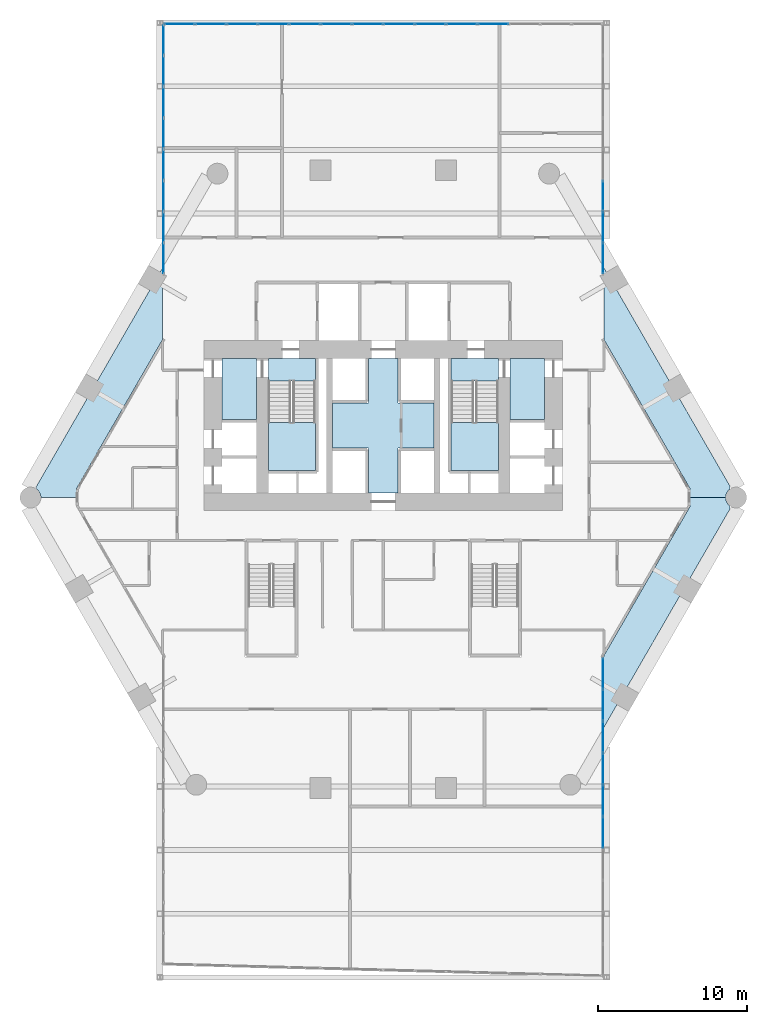
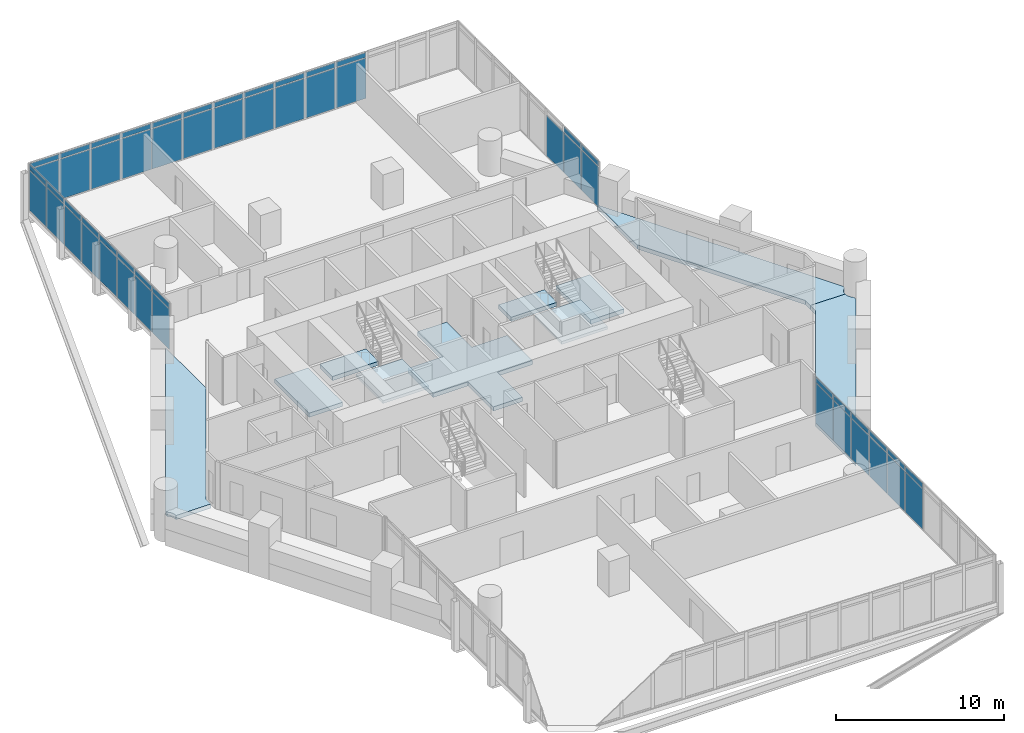
# One storey, part 28 of 38: 55 plates, 10 slabs, 6 elements without a shape of their own.
"""IFC4 building model written with IfcOpenShell, lengths in metres."""

from ifc_helpers import new_model, si_unit, direction, frame, origin, origin_2d, place, context, subcontext, project, spatial, polyline, rectangle, outline, extrude, material, layer, layer_set, type_object, element, aggregate, save


model = new_model("IFC4")

# Units and contexts
model_context = context("Model", 3, precision=1e-05, world=origin(), true_north=direction((0.0, 1.0)))
body_context = subcontext(model_context, "Body", "Model", "MODEL_VIEW")
ifc_project = project(units=[si_unit("LENGTHUNIT", "METRE"), si_unit("AREAUNIT", "SQUARE_METRE"), si_unit("VOLUMEUNIT", "CUBIC_METRE"), si_unit("PLANEANGLEUNIT", "RADIAN"), si_unit("MASSUNIT", "GRAM", prefix="KILO")], contexts=[model_context])

# Site, building, storey
site_placement = place(None, origin())
site = spatial("IfcSite", under=ifc_project, at=site_placement, CompositionType="ELEMENT")
building_placement = place(site_placement, origin())
building = spatial("IfcBuilding", under=site, at=building_placement, Name="Ostrander Bayou Hotel Tower", CompositionType="ELEMENT")
storey_placement = place(building_placement, frame((0.0, 0.0, 65.5)))
storey = spatial("IfcBuildingStorey", under=building, at=storey_placement, Name="L16", CompositionType="ELEMENT", Elevation=65.5)

# Curtain wall, plates
ifc_material_1 = material(Name="Aluminium and clear glass", Category="aluminium")
curtain_wall_type = type_object("IfcCurtainWallType", Name="CW-BAR glazed wall", PredefinedType="NOTDEFINED", material=ifc_material_1)
curtain_wall_1_placement = place(storey_placement, origin())
curtain_wall_1 = element("IfcCurtainWall", 1, at=curtain_wall_1_placement, inside=storey, type_object=curtain_wall_type, Name="CW-BAR L16:SB1S:W", PredefinedType="NOTDEFINED")
ifc_material_2 = material(Name="Clear laminated glass", Category="glass")
ifc_layer_1 = layer(ifc_material_2, 0.028076171875)
ifc_layer_set_1 = layer_set([ifc_layer_1], Name="CW-BR glazing panel 28 mm")
plate_type = type_object("IfcPlateType", Name="CW-BR glazing panel 28 mm", PredefinedType="CURTAIN_PANEL", material=ifc_layer_set_1)
plate_1_placement = place(storey_placement, frame((14.712158203125, -12.59912109375, 0.06005859375), z_axis=(0.0, 0.0, 1.0), x_axis=(0.0, -1.0, 0.0)))
plate_1 = element("IfcPlate", 2, at=plate_1_placement, type_object=plate_type, Name="CW-BAR panel 1.1", PredefinedType="CURTAIN_PANEL", context=body_context, shape_type="SweptSolid", body=[
    extrude(rectangle(XDim=2.04296875, YDim=0.028076171875, at=origin_2d()), origin(), (0.0, 0.0, 1.0), 2.909912109375),
])
plate_2_placement = place(storey_placement, frame((14.712158203125, -12.59912109375, 3.02978515625), z_axis=(0.0, 0.0, 1.0), x_axis=(0.0, -1.0, 0.0)))
plate_2 = element("IfcPlate", 3, at=plate_2_placement, type_object=plate_type, Name="CW-BAR panel 1.2", PredefinedType="CURTAIN_PANEL", context=body_context, shape_type="SweptSolid", body=[
    extrude(rectangle(XDim=2.04296875, YDim=0.028076171875, at=origin_2d()), origin(), (0.0, 0.0, 1.0), 0.360107421875),
])
plate_3_placement = place(storey_placement, frame((14.712158203125, -14.71728515625, 0.06005859375), z_axis=(0.0, 0.0, 1.0), x_axis=(0.0, -1.0, 0.0)))
plate_3 = element("IfcPlate", 4, at=plate_3_placement, type_object=plate_type, Name="CW-BAR panel 2.1", PredefinedType="CURTAIN_PANEL", context=body_context, shape_type="SweptSolid", body=[
    extrude(rectangle(XDim=2.072998046875, YDim=0.028076171875, at=origin_2d()), origin(), (0.0, 0.0, 1.0), 2.909912109375),
])
plate_4_placement = place(storey_placement, frame((14.712158203125, -14.71728515625, 3.02978515625), z_axis=(0.0, 0.0, 1.0), x_axis=(0.0, -1.0, 0.0)))
plate_4 = element("IfcPlate", 5, at=plate_4_placement, type_object=plate_type, Name="CW-BAR panel 2.2", PredefinedType="CURTAIN_PANEL", context=body_context, shape_type="SweptSolid", body=[
    extrude(rectangle(XDim=2.072998046875, YDim=0.028076171875, at=origin_2d()), origin(), (0.0, 0.0, 1.0), 0.360107421875),
])
plate_5_placement = place(storey_placement, frame((14.712158203125, -16.850341796875, 0.06005859375), z_axis=(0.0, 0.0, 1.0), x_axis=(0.0, -1.0, 0.0)))
plate_5 = element("IfcPlate", 6, at=plate_5_placement, type_object=plate_type, Name="CW-BAR panel 3.1", PredefinedType="CURTAIN_PANEL", context=body_context, shape_type="SweptSolid", body=[
    extrude(rectangle(XDim=2.072998046875, YDim=0.028076171875, at=origin_2d()), origin(), (0.0, 0.0, 1.0), 2.909912109375),
])
plate_6_placement = place(storey_placement, frame((14.712158203125, -16.850341796875, 3.02978515625), z_axis=(0.0, 0.0, 1.0), x_axis=(0.0, -1.0, 0.0)))
plate_6 = element("IfcPlate", 7, at=plate_6_placement, type_object=plate_type, Name="CW-BAR panel 3.2", PredefinedType="CURTAIN_PANEL", context=body_context, shape_type="SweptSolid", body=[
    extrude(rectangle(XDim=2.072998046875, YDim=0.028076171875, at=origin_2d()), origin(), (0.0, 0.0, 1.0), 0.360107421875),
])
plate_7_placement = place(storey_placement, frame((14.712158203125, -18.9833984375, 0.06005859375), z_axis=(0.0, 0.0, 1.0), x_axis=(0.0, -1.0, 0.0)))
plate_7 = element("IfcPlate", 8, at=plate_7_placement, type_object=plate_type, Name="CW-BAR panel 4.1", PredefinedType="CURTAIN_PANEL", context=body_context, shape_type="SweptSolid", body=[
    extrude(rectangle(XDim=2.072998046875, YDim=0.028076171875, at=origin_2d()), origin(), (0.0, 0.0, 1.0), 2.909912109375),
])
plate_8_placement = place(storey_placement, frame((14.712158203125, -18.9833984375, 3.02978515625), z_axis=(0.0, 0.0, 1.0), x_axis=(0.0, -1.0, 0.0)))
plate_8 = element("IfcPlate", 9, at=plate_8_placement, type_object=plate_type, Name="CW-BAR panel 4.2", PredefinedType="CURTAIN_PANEL", context=body_context, shape_type="SweptSolid", body=[
    extrude(rectangle(XDim=2.072998046875, YDim=0.028076171875, at=origin_2d()), origin(), (0.0, 0.0, 1.0), 0.360107421875),
])
plate_9_placement = place(storey_placement, frame((14.712158203125, -21.116455078125, 0.06005859375), z_axis=(0.0, 0.0, 1.0), x_axis=(0.0, -1.0, 0.0)))
plate_9 = element("IfcPlate", 10, at=plate_9_placement, type_object=plate_type, Name="CW-BAR panel 5.1", PredefinedType="CURTAIN_PANEL", context=body_context, shape_type="SweptSolid", body=[
    extrude(rectangle(XDim=2.072998046875, YDim=0.028076171875, at=origin_2d()), origin(), (0.0, 0.0, 1.0), 2.909912109375),
])
plate_10_placement = place(storey_placement, frame((14.712158203125, -21.116455078125, 3.02978515625), z_axis=(0.0, 0.0, 1.0), x_axis=(0.0, -1.0, 0.0)))
plate_10 = element("IfcPlate", 11, at=plate_10_placement, type_object=plate_type, Name="CW-BAR panel 5.2", PredefinedType="CURTAIN_PANEL", context=body_context, shape_type="SweptSolid", body=[
    extrude(rectangle(XDim=2.072998046875, YDim=0.028076171875, at=origin_2d()), origin(), (0.0, 0.0, 1.0), 0.360107421875),
])
plate_11_placement = place(storey_placement, frame((14.712158203125, -23.249267578125, 0.06005859375), z_axis=(0.0, 0.0, 1.0), x_axis=(0.0, -1.0, 0.0)))
plate_11 = element("IfcPlate", 12, at=plate_11_placement, type_object=plate_type, Name="CW-BAR panel 6.1", PredefinedType="CURTAIN_PANEL", context=body_context, shape_type="SweptSolid", body=[
    extrude(rectangle(XDim=2.072998046875, YDim=0.028076171875, at=origin_2d()), origin(), (0.0, 0.0, 1.0), 2.909912109375),
])
plate_12_placement = place(storey_placement, frame((14.712158203125, -23.249267578125, 3.02978515625), z_axis=(0.0, 0.0, 1.0), x_axis=(0.0, -1.0, 0.0)))
plate_12 = element("IfcPlate", 13, at=plate_12_placement, type_object=plate_type, Name="CW-BAR panel 6.2", PredefinedType="CURTAIN_PANEL", context=body_context, shape_type="SweptSolid", body=[
    extrude(rectangle(XDim=2.072998046875, YDim=0.028076171875, at=origin_2d()), origin(), (0.0, 0.0, 1.0), 0.360107421875),
])
aggregate(curtain_wall_1, [plate_1, plate_2, plate_3, plate_4, plate_5, plate_6, plate_7, plate_8, plate_9, plate_10, plate_11, plate_12])

curtain_wall_2_placement = place(storey_placement, origin())
curtain_wall_2 = element("IfcCurtainWall", 14, at=curtain_wall_2_placement, inside=storey, type_object=curtain_wall_type, Name="CW-BAR L16:SB1N:E", PredefinedType="NOTDEFINED")
plate_13_placement = place(storey_placement, frame((-14.712158203125, 15.2080078125, 0.06005859375), z_axis=(0.0, 0.0, 1.0), x_axis=(0.0, 1.0, 0.0)))
plate_13 = element("IfcPlate", 15, at=plate_13_placement, type_object=plate_type, Name="CW-BAR panel 1.1", PredefinedType="CURTAIN_PANEL", context=body_context, shape_type="SweptSolid", body=[
    extrude(rectangle(XDim=2.00244140625, YDim=0.028076171875, at=origin_2d()), origin(), (0.0, 0.0, 1.0), 2.909912109375),
])
plate_14_placement = place(storey_placement, frame((-14.712158203125, 15.2080078125, 3.02978515625), z_axis=(0.0, 0.0, 1.0), x_axis=(0.0, 1.0, 0.0)))
plate_14 = element("IfcPlate", 16, at=plate_14_placement, type_object=plate_type, Name="CW-BAR panel 1.2", PredefinedType="CURTAIN_PANEL", context=body_context, shape_type="SweptSolid", body=[
    extrude(rectangle(XDim=2.00244140625, YDim=0.028076171875, at=origin_2d()), origin(), (0.0, 0.0, 1.0), 0.360107421875),
])
plate_15_placement = place(storey_placement, frame((-14.712158203125, 17.285400390625, 0.06005859375), z_axis=(0.0, 0.0, 1.0), x_axis=(0.0, 1.0, 0.0)))
plate_15 = element("IfcPlate", 17, at=plate_15_placement, type_object=plate_type, Name="CW-BAR panel 2.1", PredefinedType="CURTAIN_PANEL", context=body_context, shape_type="SweptSolid", body=[
    extrude(rectangle(XDim=2.032470703125, YDim=0.028076171875, at=origin_2d()), origin(), (0.0, 0.0, 1.0), 2.909912109375),
])
plate_16_placement = place(storey_placement, frame((-14.712158203125, 17.285400390625, 3.02978515625), z_axis=(0.0, 0.0, 1.0), x_axis=(0.0, 1.0, 0.0)))
plate_16 = element("IfcPlate", 18, at=plate_16_placement, type_object=plate_type, Name="CW-BAR panel 2.2", PredefinedType="CURTAIN_PANEL", context=body_context, shape_type="SweptSolid", body=[
    extrude(rectangle(XDim=2.032470703125, YDim=0.028076171875, at=origin_2d()), origin(), (0.0, 0.0, 1.0), 0.360107421875),
])
plate_17_placement = place(storey_placement, frame((-14.712158203125, 19.3779296875, 0.06005859375), z_axis=(0.0, 0.0, 1.0), x_axis=(0.0, 1.0, 0.0)))
plate_17 = element("IfcPlate", 19, at=plate_17_placement, type_object=plate_type, Name="CW-BAR panel 3.1", PredefinedType="CURTAIN_PANEL", context=body_context, shape_type="SweptSolid", body=[
    extrude(rectangle(XDim=2.032470703125, YDim=0.028076171875, at=origin_2d()), origin(), (0.0, 0.0, 1.0), 2.909912109375),
])
plate_18_placement = place(storey_placement, frame((-14.712158203125, 19.3779296875, 3.02978515625), z_axis=(0.0, 0.0, 1.0), x_axis=(0.0, 1.0, 0.0)))
plate_18 = element("IfcPlate", 20, at=plate_18_placement, type_object=plate_type, Name="CW-BAR panel 3.2", PredefinedType="CURTAIN_PANEL", context=body_context, shape_type="SweptSolid", body=[
    extrude(rectangle(XDim=2.032470703125, YDim=0.028076171875, at=origin_2d()), origin(), (0.0, 0.0, 1.0), 0.360107421875),
])
plate_19_placement = place(storey_placement, frame((-14.712158203125, 21.47021484375, 0.06005859375), z_axis=(0.0, 0.0, 1.0), x_axis=(0.0, 1.0, 0.0)))
plate_19 = element("IfcPlate", 21, at=plate_19_placement, type_object=plate_type, Name="CW-BAR panel 4.1", PredefinedType="CURTAIN_PANEL", context=body_context, shape_type="SweptSolid", body=[
    extrude(rectangle(XDim=2.032470703125, YDim=0.028076171875, at=origin_2d()), origin(), (0.0, 0.0, 1.0), 2.909912109375),
])
plate_20_placement = place(storey_placement, frame((-14.712158203125, 21.47021484375, 3.02978515625), z_axis=(0.0, 0.0, 1.0), x_axis=(0.0, 1.0, 0.0)))
plate_20 = element("IfcPlate", 22, at=plate_20_placement, type_object=plate_type, Name="CW-BAR panel 4.2", PredefinedType="CURTAIN_PANEL", context=body_context, shape_type="SweptSolid", body=[
    extrude(rectangle(XDim=2.032470703125, YDim=0.028076171875, at=origin_2d()), origin(), (0.0, 0.0, 1.0), 0.360107421875),
])
plate_21_placement = place(storey_placement, frame((-14.712158203125, 23.562744140625, 0.06005859375), z_axis=(0.0, 0.0, 1.0), x_axis=(0.0, 1.0, 0.0)))
plate_21 = element("IfcPlate", 23, at=plate_21_placement, type_object=plate_type, Name="CW-BAR panel 5.1", PredefinedType="CURTAIN_PANEL", context=body_context, shape_type="SweptSolid", body=[
    extrude(rectangle(XDim=2.032470703125, YDim=0.028076171875, at=origin_2d()), origin(), (0.0, 0.0, 1.0), 2.909912109375),
])
plate_22_placement = place(storey_placement, frame((-14.712158203125, 23.562744140625, 3.02978515625), z_axis=(0.0, 0.0, 1.0), x_axis=(0.0, 1.0, 0.0)))
plate_22 = element("IfcPlate", 24, at=plate_22_placement, type_object=plate_type, Name="CW-BAR panel 5.2", PredefinedType="CURTAIN_PANEL", context=body_context, shape_type="SweptSolid", body=[
    extrude(rectangle(XDim=2.032470703125, YDim=0.028076171875, at=origin_2d()), origin(), (0.0, 0.0, 1.0), 0.360107421875),
])
plate_23_placement = place(storey_placement, frame((-14.712158203125, 25.655029296875, 0.06005859375), z_axis=(0.0, 0.0, 1.0), x_axis=(0.0, 1.0, 0.0)))
plate_23 = element("IfcPlate", 25, at=plate_23_placement, type_object=plate_type, Name="CW-BAR panel 6.1", PredefinedType="CURTAIN_PANEL", context=body_context, shape_type="SweptSolid", body=[
    extrude(rectangle(XDim=2.032470703125, YDim=0.028076171875, at=origin_2d()), origin(), (0.0, 0.0, 1.0), 2.909912109375),
])
plate_24_placement = place(storey_placement, frame((-14.712158203125, 25.655029296875, 3.02978515625), z_axis=(0.0, 0.0, 1.0), x_axis=(0.0, 1.0, 0.0)))
plate_24 = element("IfcPlate", 26, at=plate_24_placement, type_object=plate_type, Name="CW-BAR panel 6.2", PredefinedType="CURTAIN_PANEL", context=body_context, shape_type="SweptSolid", body=[
    extrude(rectangle(XDim=2.032470703125, YDim=0.028076171875, at=origin_2d()), origin(), (0.0, 0.0, 1.0), 0.360107421875),
])
plate_25_placement = place(storey_placement, frame((-14.712158203125, 27.74755859375, 0.06005859375), z_axis=(0.0, 0.0, 1.0), x_axis=(0.0, 1.0, 0.0)))
plate_25 = element("IfcPlate", 27, at=plate_25_placement, type_object=plate_type, Name="CW-BAR panel 7.1", PredefinedType="CURTAIN_PANEL", context=body_context, shape_type="SweptSolid", body=[
    extrude(rectangle(XDim=2.032470703125, YDim=0.028076171875, at=origin_2d()), origin(), (0.0, 0.0, 1.0), 2.909912109375),
])
plate_26_placement = place(storey_placement, frame((-14.712158203125, 27.74755859375, 3.02978515625), z_axis=(0.0, 0.0, 1.0), x_axis=(0.0, 1.0, 0.0)))
plate_26 = element("IfcPlate", 28, at=plate_26_placement, type_object=plate_type, Name="CW-BAR panel 7.2", PredefinedType="CURTAIN_PANEL", context=body_context, shape_type="SweptSolid", body=[
    extrude(rectangle(XDim=2.032470703125, YDim=0.028076171875, at=origin_2d()), origin(), (0.0, 0.0, 1.0), 0.360107421875),
])
plate_27_placement = place(storey_placement, frame((-14.712158203125, 29.824951171875, 0.06005859375), z_axis=(0.0, 0.0, 1.0), x_axis=(0.0, 1.0, 0.0)))
plate_27 = element("IfcPlate", 29, at=plate_27_placement, type_object=plate_type, Name="CW-BAR panel 8.1", PredefinedType="CURTAIN_PANEL", context=body_context, shape_type="SweptSolid", body=[
    extrude(rectangle(XDim=2.00244140625, YDim=0.028076171875, at=origin_2d()), origin(), (0.0, 0.0, 1.0), 2.909912109375),
])
plate_28_placement = place(storey_placement, frame((-14.712158203125, 29.824951171875, 3.02978515625), z_axis=(0.0, 0.0, 1.0), x_axis=(0.0, 1.0, 0.0)))
plate_28 = element("IfcPlate", 30, at=plate_28_placement, type_object=plate_type, Name="CW-BAR panel 8.2", PredefinedType="CURTAIN_PANEL", context=body_context, shape_type="SweptSolid", body=[
    extrude(rectangle(XDim=2.00244140625, YDim=0.028076171875, at=origin_2d()), origin(), (0.0, 0.0, 1.0), 0.360107421875),
])
aggregate(curtain_wall_2, [plate_13, plate_14, plate_15, plate_16, plate_17, plate_18, plate_19, plate_20, plate_21, plate_22, plate_23, plate_24, plate_25, plate_26, plate_27, plate_28])

curtain_wall_3_placement = place(storey_placement, origin())
curtain_wall_3 = element("IfcCurtainWall", 31, at=curtain_wall_3_placement, inside=storey, type_object=curtain_wall_type, Name="CW-BAR L16:SB1N:T", PredefinedType="NOTDEFINED")
plate_29_placement = place(storey_placement, frame((-13.646240234375, 30.88623046875, 0.06005859375), z_axis=(0.0, 0.0, 1.0), x_axis=(1.0, 0.0, 0.0)))
plate_29 = element("IfcPlate", 32, at=plate_29_placement, type_object=plate_type, Name="CW-BAR panel 1.1", PredefinedType="CURTAIN_PANEL", context=body_context, shape_type="SweptSolid", body=[
    extrude(rectangle(XDim=2.01171875, YDim=0.028076171875, at=origin_2d()), origin(), (0.0, 0.0, 1.0), 2.909912109375),
])
plate_30_placement = place(storey_placement, frame((-13.646240234375, 30.88623046875, 3.02978515625), z_axis=(0.0, 0.0, 1.0), x_axis=(1.0, 0.0, 0.0)))
plate_30 = element("IfcPlate", 33, at=plate_30_placement, type_object=plate_type, Name="CW-BAR panel 1.2", PredefinedType="CURTAIN_PANEL", context=body_context, shape_type="SweptSolid", body=[
    extrude(rectangle(XDim=2.01171875, YDim=0.028076171875, at=origin_2d()), origin(), (0.0, 0.0, 1.0), 0.360107421875),
])
plate_31_placement = place(storey_placement, frame((-11.5595703125, 30.88623046875, 0.06005859375), z_axis=(0.0, 0.0, 1.0), x_axis=(1.0, 0.0, 0.0)))
plate_31 = element("IfcPlate", 34, at=plate_31_placement, type_object=plate_type, Name="CW-BAR panel 2.1", PredefinedType="CURTAIN_PANEL", context=body_context, shape_type="SweptSolid", body=[
    extrude(rectangle(XDim=2.041748046875, YDim=0.028076171875, at=origin_2d()), origin(), (0.0, 0.0, 1.0), 2.909912109375),
])
plate_32_placement = place(storey_placement, frame((-11.5595703125, 30.88623046875, 3.02978515625), z_axis=(0.0, 0.0, 1.0), x_axis=(1.0, 0.0, 0.0)))
plate_32 = element("IfcPlate", 35, at=plate_32_placement, type_object=plate_type, Name="CW-BAR panel 2.2", PredefinedType="CURTAIN_PANEL", context=body_context, shape_type="SweptSolid", body=[
    extrude(rectangle(XDim=2.041748046875, YDim=0.028076171875, at=origin_2d()), origin(), (0.0, 0.0, 1.0), 0.360107421875),
])
plate_33_placement = place(storey_placement, frame((-9.457763671875, 30.88623046875, 0.06005859375), z_axis=(0.0, 0.0, 1.0), x_axis=(1.0, 0.0, 0.0)))
plate_33 = element("IfcPlate", 36, at=plate_33_placement, type_object=plate_type, Name="CW-BAR panel 3.1", PredefinedType="CURTAIN_PANEL", context=body_context, shape_type="SweptSolid", body=[
    extrude(rectangle(XDim=2.041748046875, YDim=0.028076171875, at=origin_2d()), origin(), (0.0, 0.0, 1.0), 2.909912109375),
])
plate_34_placement = place(storey_placement, frame((-9.457763671875, 30.88623046875, 3.02978515625), z_axis=(0.0, 0.0, 1.0), x_axis=(1.0, 0.0, 0.0)))
plate_34 = element("IfcPlate", 37, at=plate_34_placement, type_object=plate_type, Name="CW-BAR panel 3.2", PredefinedType="CURTAIN_PANEL", context=body_context, shape_type="SweptSolid", body=[
    extrude(rectangle(XDim=2.041748046875, YDim=0.028076171875, at=origin_2d()), origin(), (0.0, 0.0, 1.0), 0.360107421875),
])
plate_35_placement = place(storey_placement, frame((-7.356201171875, 30.88623046875, 0.06005859375), z_axis=(0.0, 0.0, 1.0), x_axis=(1.0, 0.0, 0.0)))
plate_35 = element("IfcPlate", 38, at=plate_35_placement, type_object=plate_type, Name="CW-BAR panel 4.1", PredefinedType="CURTAIN_PANEL", context=body_context, shape_type="SweptSolid", body=[
    extrude(rectangle(XDim=2.041748046875, YDim=0.028076171875, at=origin_2d()), origin(), (0.0, 0.0, 1.0), 2.909912109375),
])
plate_36_placement = place(storey_placement, frame((-7.356201171875, 30.88623046875, 3.02978515625), z_axis=(0.0, 0.0, 1.0), x_axis=(1.0, 0.0, 0.0)))
plate_36 = element("IfcPlate", 39, at=plate_36_placement, type_object=plate_type, Name="CW-BAR panel 4.2", PredefinedType="CURTAIN_PANEL", context=body_context, shape_type="SweptSolid", body=[
    extrude(rectangle(XDim=2.041748046875, YDim=0.028076171875, at=origin_2d()), origin(), (0.0, 0.0, 1.0), 0.360107421875),
])
plate_37_placement = place(storey_placement, frame((-5.25439453125, 30.88623046875, 0.06005859375), z_axis=(0.0, 0.0, 1.0), x_axis=(1.0, 0.0, 0.0)))
plate_37 = element("IfcPlate", 40, at=plate_37_placement, type_object=plate_type, Name="CW-BAR panel 5.1", PredefinedType="CURTAIN_PANEL", context=body_context, shape_type="SweptSolid", body=[
    extrude(rectangle(XDim=2.041748046875, YDim=0.028076171875, at=origin_2d()), origin(), (0.0, 0.0, 1.0), 2.909912109375),
])
plate_38_placement = place(storey_placement, frame((-5.25439453125, 30.88623046875, 3.02978515625), z_axis=(0.0, 0.0, 1.0), x_axis=(1.0, 0.0, 0.0)))
plate_38 = element("IfcPlate", 41, at=plate_38_placement, type_object=plate_type, Name="CW-BAR panel 5.2", PredefinedType="CURTAIN_PANEL", context=body_context, shape_type="SweptSolid", body=[
    extrude(rectangle(XDim=2.041748046875, YDim=0.028076171875, at=origin_2d()), origin(), (0.0, 0.0, 1.0), 0.360107421875),
])
plate_39_placement = place(storey_placement, frame((-3.152587890625, 30.88623046875, 0.06005859375), z_axis=(0.0, 0.0, 1.0), x_axis=(1.0, 0.0, 0.0)))
plate_39 = element("IfcPlate", 42, at=plate_39_placement, type_object=plate_type, Name="CW-BAR panel 6.1", PredefinedType="CURTAIN_PANEL", context=body_context, shape_type="SweptSolid", body=[
    extrude(rectangle(XDim=2.041748046875, YDim=0.028076171875, at=origin_2d()), origin(), (0.0, 0.0, 1.0), 2.909912109375),
])
plate_40_placement = place(storey_placement, frame((-3.152587890625, 30.88623046875, 3.02978515625), z_axis=(0.0, 0.0, 1.0), x_axis=(1.0, 0.0, 0.0)))
plate_40 = element("IfcPlate", 43, at=plate_40_placement, type_object=plate_type, Name="CW-BAR panel 6.2", PredefinedType="CURTAIN_PANEL", context=body_context, shape_type="SweptSolid", body=[
    extrude(rectangle(XDim=2.041748046875, YDim=0.028076171875, at=origin_2d()), origin(), (0.0, 0.0, 1.0), 0.360107421875),
])
plate_41_placement = place(storey_placement, frame((-1.05078125, 30.88623046875, 0.06005859375), z_axis=(0.0, 0.0, 1.0), x_axis=(1.0, 0.0, 0.0)))
plate_41 = element("IfcPlate", 44, at=plate_41_placement, type_object=plate_type, Name="CW-BAR panel 7.1", PredefinedType="CURTAIN_PANEL", context=body_context, shape_type="SweptSolid", body=[
    extrude(rectangle(XDim=2.041748046875, YDim=0.028076171875, at=origin_2d()), origin(), (0.0, 0.0, 1.0), 2.909912109375),
])
plate_42_placement = place(storey_placement, frame((-1.05078125, 30.88623046875, 3.02978515625), z_axis=(0.0, 0.0, 1.0), x_axis=(1.0, 0.0, 0.0)))
plate_42 = element("IfcPlate", 45, at=plate_42_placement, type_object=plate_type, Name="CW-BAR panel 7.2", PredefinedType="CURTAIN_PANEL", context=body_context, shape_type="SweptSolid", body=[
    extrude(rectangle(XDim=2.041748046875, YDim=0.028076171875, at=origin_2d()), origin(), (0.0, 0.0, 1.0), 0.360107421875),
])
plate_43_placement = place(storey_placement, frame((1.05078125, 30.88623046875, 0.06005859375), z_axis=(0.0, 0.0, 1.0), x_axis=(1.0, 0.0, 0.0)))
plate_43 = element("IfcPlate", 46, at=plate_43_placement, type_object=plate_type, Name="CW-BAR panel 8.1", PredefinedType="CURTAIN_PANEL", context=body_context, shape_type="SweptSolid", body=[
    extrude(rectangle(XDim=2.041748046875, YDim=0.028076171875, at=origin_2d()), origin(), (0.0, 0.0, 1.0), 2.909912109375),
])
plate_44_placement = place(storey_placement, frame((1.05078125, 30.88623046875, 3.02978515625), z_axis=(0.0, 0.0, 1.0), x_axis=(1.0, 0.0, 0.0)))
plate_44 = element("IfcPlate", 47, at=plate_44_placement, type_object=plate_type, Name="CW-BAR panel 8.2", PredefinedType="CURTAIN_PANEL", context=body_context, shape_type="SweptSolid", body=[
    extrude(rectangle(XDim=2.041748046875, YDim=0.028076171875, at=origin_2d()), origin(), (0.0, 0.0, 1.0), 0.360107421875),
])
plate_45_placement = place(storey_placement, frame((3.152587890625, 30.88623046875, 0.06005859375), z_axis=(0.0, 0.0, 1.0), x_axis=(1.0, 0.0, 0.0)))
plate_45 = element("IfcPlate", 48, at=plate_45_placement, type_object=plate_type, Name="CW-BAR panel 9.1", PredefinedType="CURTAIN_PANEL", context=body_context, shape_type="SweptSolid", body=[
    extrude(rectangle(XDim=2.041748046875, YDim=0.028076171875, at=origin_2d()), origin(), (0.0, 0.0, 1.0), 2.909912109375),
])
plate_46_placement = place(storey_placement, frame((3.152587890625, 30.88623046875, 3.02978515625), z_axis=(0.0, 0.0, 1.0), x_axis=(1.0, 0.0, 0.0)))
plate_46 = element("IfcPlate", 49, at=plate_46_placement, type_object=plate_type, Name="CW-BAR panel 9.2", PredefinedType="CURTAIN_PANEL", context=body_context, shape_type="SweptSolid", body=[
    extrude(rectangle(XDim=2.041748046875, YDim=0.028076171875, at=origin_2d()), origin(), (0.0, 0.0, 1.0), 0.360107421875),
])
plate_47_placement = place(storey_placement, frame((5.25439453125, 30.88623046875, 0.06005859375), z_axis=(0.0, 0.0, 1.0), x_axis=(1.0, 0.0, 0.0)))
plate_47 = element("IfcPlate", 50, at=plate_47_placement, type_object=plate_type, Name="CW-BAR panel 10.1", PredefinedType="CURTAIN_PANEL", context=body_context, shape_type="SweptSolid", body=[
    extrude(rectangle(XDim=2.041748046875, YDim=0.028076171875, at=origin_2d()), origin(), (0.0, 0.0, 1.0), 2.909912109375),
])
plate_48_placement = place(storey_placement, frame((5.25439453125, 30.88623046875, 3.02978515625), z_axis=(0.0, 0.0, 1.0), x_axis=(1.0, 0.0, 0.0)))
plate_48 = element("IfcPlate", 51, at=plate_48_placement, type_object=plate_type, Name="CW-BAR panel 10.2", PredefinedType="CURTAIN_PANEL", context=body_context, shape_type="SweptSolid", body=[
    extrude(rectangle(XDim=2.041748046875, YDim=0.028076171875, at=origin_2d()), origin(), (0.0, 0.0, 1.0), 0.360107421875),
])
plate_49_placement = place(storey_placement, frame((7.356201171875, 30.88623046875, 0.06005859375), z_axis=(0.0, 0.0, 1.0), x_axis=(1.0, 0.0, 0.0)))
plate_49 = element("IfcPlate", 52, at=plate_49_placement, type_object=plate_type, Name="CW-BAR panel 11.1", PredefinedType="CURTAIN_PANEL", context=body_context, shape_type="SweptSolid", body=[
    extrude(rectangle(XDim=2.041748046875, YDim=0.028076171875, at=origin_2d()), origin(), (0.0, 0.0, 1.0), 2.909912109375),
])
plate_50_placement = place(storey_placement, frame((7.356201171875, 30.88623046875, 3.02978515625), z_axis=(0.0, 0.0, 1.0), x_axis=(1.0, 0.0, 0.0)))
plate_50 = element("IfcPlate", 53, at=plate_50_placement, type_object=plate_type, Name="CW-BAR panel 11.2", PredefinedType="CURTAIN_PANEL", context=body_context, shape_type="SweptSolid", body=[
    extrude(rectangle(XDim=2.041748046875, YDim=0.028076171875, at=origin_2d()), origin(), (0.0, 0.0, 1.0), 0.360107421875),
])
aggregate(curtain_wall_3, [plate_29, plate_30, plate_31, plate_32, plate_33, plate_34, plate_35, plate_36, plate_37, plate_38, plate_39, plate_40, plate_41, plate_42, plate_43, plate_44, plate_45, plate_46, plate_47, plate_48, plate_49, plate_50])

curtain_wall_4_placement = place(storey_placement, origin())
curtain_wall_4 = element("IfcCurtainWall", 54, at=curtain_wall_4_placement, inside=storey, type_object=curtain_wall_type, Name="CW-BAR L16:SB1N:W", PredefinedType="NOTDEFINED")
plate_51_placement = place(storey_placement, frame((14.712158203125, 15.2080078125, 0.06005859375), z_axis=(0.0, 0.0, 1.0), x_axis=(0.0, 1.0, 0.0)))
plate_51 = element("IfcPlate", 55, at=plate_51_placement, type_object=plate_type, Name="CW-BAR panel 1.1", PredefinedType="CURTAIN_PANEL", context=body_context, shape_type="SweptSolid", body=[
    extrude(rectangle(XDim=2.00244140625, YDim=0.028076171875, at=origin_2d()), origin(), (0.0, 0.0, 1.0), 2.909912109375),
])
plate_52_placement = place(storey_placement, frame((14.712158203125, 15.2080078125, 3.02978515625), z_axis=(0.0, 0.0, 1.0), x_axis=(0.0, 1.0, 0.0)))
plate_52 = element("IfcPlate", 56, at=plate_52_placement, type_object=plate_type, Name="CW-BAR panel 1.2", PredefinedType="CURTAIN_PANEL", context=body_context, shape_type="SweptSolid", body=[
    extrude(rectangle(XDim=2.00244140625, YDim=0.028076171875, at=origin_2d()), origin(), (0.0, 0.0, 1.0), 0.360107421875),
])
plate_53_placement = place(storey_placement, frame((14.712158203125, 17.285400390625, 0.06005859375), z_axis=(0.0, 0.0, 1.0), x_axis=(0.0, 1.0, 0.0)))
plate_53 = element("IfcPlate", 57, at=plate_53_placement, type_object=plate_type, Name="CW-BAR panel 2.1", PredefinedType="CURTAIN_PANEL", context=body_context, shape_type="SweptSolid", body=[
    extrude(rectangle(XDim=2.032470703125, YDim=0.028076171875, at=origin_2d()), origin(), (0.0, 0.0, 1.0), 2.909912109375),
])
plate_54_placement = place(storey_placement, frame((14.712158203125, 17.285400390625, 3.02978515625), z_axis=(0.0, 0.0, 1.0), x_axis=(0.0, 1.0, 0.0)))
plate_54 = element("IfcPlate", 58, at=plate_54_placement, type_object=plate_type, Name="CW-BAR panel 2.2", PredefinedType="CURTAIN_PANEL", context=body_context, shape_type="SweptSolid", body=[
    extrude(rectangle(XDim=2.032470703125, YDim=0.028076171875, at=origin_2d()), origin(), (0.0, 0.0, 1.0), 0.360107421875),
])
plate_55_placement = place(storey_placement, frame((14.712158203125, 19.3779296875, 0.06005859375), z_axis=(0.0, 0.0, 1.0), x_axis=(0.0, 1.0, 0.0)))
plate_55 = element("IfcPlate", 59, at=plate_55_placement, type_object=plate_type, Name="CW-BAR panel 3.1", PredefinedType="CURTAIN_PANEL", context=body_context, shape_type="SweptSolid", body=[
    extrude(rectangle(XDim=2.032470703125, YDim=0.028076171875, at=origin_2d()), origin(), (0.0, 0.0, 1.0), 2.909912109375),
])
aggregate(curtain_wall_4, [plate_51, plate_52, plate_53, plate_54, plate_55])

# Slabs
ifc_material_3 = material(Name="Concrete f'c 40 MPa", Category="concrete")
ifc_layer_2 = layer(ifc_material_3, 0.300048828125)
ifc_layer_set_2 = layer_set([ifc_layer_2], Name="SL1 floor slab 300 mm f'c 40 MPa")
slab_type_1 = type_object("IfcSlabType", Name="SL1 floor slab 300 mm f'c 40 MPa", PredefinedType="FLOOR", material=ifc_layer_set_2)
slab_1_placement = place(storey_placement, frame((0.0, 0.0, -0.300048828125)))
element("IfcSlab", 60, at=slab_1_placement, inside=storey, type_object=slab_type_1, Name="cslab:L16:001", PredefinedType="FLOOR", context=body_context, shape_type="SweptSolid", body=[
    extrude(outline(polyline([(-3.39990234375, 5.5), (-1.0, 5.5), (-1.0, 8.5), (1.0, 8.5), (1.0, 5.5), (3.39990234375, 5.5), (3.39990234375, 2.5), (1.0, 2.5), (1.0, -0.5), (-1.0, -0.5), (-1.0, 2.5), (-3.39990234375, 2.5), (-3.39990234375, 5.5)])), origin(), (0.0, 0.0, 1.0), 0.300048828125),
])
slab_2_placement = place(storey_placement, frame((0.0, 0.0, -0.300048828125)))
element("IfcSlab", 61, at=slab_2_placement, inside=storey, type_object=slab_type_1, Name="cslab:L16:002", PredefinedType="FLOOR", context=body_context, shape_type="SweptSolid", body=[
    extrude(outline(polyline([(-8.5, 4.39990234375), (-8.5, 8.5), (-10.800048828125, 8.5), (-10.800048828125, 4.39990234375), (-8.5, 4.39990234375)])), origin(), (0.0, 0.0, 1.0), 0.300048828125),
])
slab_3_placement = place(storey_placement, frame((0.0, 0.0, -0.300048828125)))
element("IfcSlab", 62, at=slab_3_placement, inside=storey, type_object=slab_type_1, Name="cslab:L16:003", PredefinedType="FLOOR", context=body_context, shape_type="SweptSolid", body=[
    extrude(outline(polyline([(10.800048828125, 4.39990234375), (10.800048828125, 8.5), (8.5, 8.5), (8.5, 4.39990234375), (10.800048828125, 4.39990234375)])), origin(), (0.0, 0.0, 1.0), 0.300048828125),
])
slab_4_placement = place(storey_placement, frame((0.0, 0.0, -0.300048828125)))
element("IfcSlab", 63, at=slab_4_placement, inside=storey, type_object=slab_type_1, Name="cslab:L16:004", PredefinedType="FLOOR", context=body_context, shape_type="SweptSolid", body=[
    extrude(outline(polyline([(-4.550048828125, 7.0), (-4.550048828125, 8.5), (-7.699951171875, 8.5), (-7.699951171875, 7.0), (-4.550048828125, 7.0)])), origin(), (0.0, 0.0, 1.0), 0.300048828125),
])
slab_5_placement = place(storey_placement, frame((0.0, 0.0, -0.300048828125)))
element("IfcSlab", 64, at=slab_5_placement, inside=storey, type_object=slab_type_1, Name="cslab:L16:005", PredefinedType="FLOOR", context=body_context, shape_type="SweptSolid", body=[
    extrude(outline(polyline([(7.699951171875, 7.0), (7.699951171875, 8.5), (4.550048828125, 8.5), (4.550048828125, 7.0), (7.699951171875, 7.0)])), origin(), (0.0, 0.0, 1.0), 0.300048828125),
])
ifc_material_4 = material(Name="Concrete f'c 40 MPa", Category="concrete")
ifc_layer_3 = layer(ifc_material_4, 0.300048828125)
ifc_layer_set_3 = layer_set([ifc_layer_3], Name="SL4 loggia slab 300 mm f'c 40 MPa")
slab_type_2 = type_object("IfcSlabType", Name="SL4 loggia slab 300 mm f'c 40 MPa", PredefinedType="FLOOR", material=ifc_layer_set_3)
slab_6_placement = place(storey_placement, frame((0.0, 0.0, -0.300048828125)))
element("IfcSlab", 65, at=slab_6_placement, inside=storey, type_object=slab_type_2, Name="SL4 LOGGIA L16 NW 1", PredefinedType="FLOOR", context=body_context, shape_type="SweptSolid", body=[
    extrude(outline(polyline([(-14.95849609375, 14.25439453125), (-14.787109375, 14.55126953125), (-14.787109375, 9.751220703125), (-20.543212890625, -0.21826171875), (-20.543212890625, -0.818359375), (-22.9287109375, -0.818359375), (-22.942138671875, -0.681640625), (-22.982177734375, -0.55029296875), (-23.046630859375, -0.429443359375), (-23.1337890625, -0.3232421875), (-23.227783203125, -0.24609375), (-23.227783203125, -0.068359375), (-19.823974609375, 5.827392578125), (-19.154052734375, 6.98779296875), (-16.2080078125, 12.090087890625), (-14.95849609375, 14.25439453125)])), origin(), (0.0, 0.0, 1.0), 0.300048828125),
])
slab_7_placement = place(storey_placement, frame((0.0, 0.0, -0.300048828125)))
element("IfcSlab", 66, at=slab_7_placement, inside=storey, type_object=slab_type_2, Name="SL4 LOGGIA L16 SE 1", PredefinedType="FLOOR", context=body_context, shape_type="SweptSolid", body=[
    extrude(outline(polyline([(16.337158203125, -13.503173828125), (15.667236328125, -14.66357421875), (14.787109375, -16.187744140625), (14.787109375, -11.3876953125), (20.543212890625, -1.418212890625), (20.543212890625, -0.818359375), (22.9287109375, -0.818359375), (22.942138671875, -0.954833984375), (22.982177734375, -1.086181640625), (23.046630859375, -1.207275390625), (23.1337890625, -1.313232421875), (23.227783203125, -1.390380859375), (23.227783203125, -1.568359375), (20.53271484375, -6.236328125), (19.862548828125, -7.39697265625), (16.337158203125, -13.503173828125)])), origin(), (0.0, 0.0, 1.0), 0.300048828125),
])
slab_8_placement = place(storey_placement, frame((0.0, 0.0, -0.300048828125)))
element("IfcSlab", 67, at=slab_8_placement, inside=storey, type_object=slab_type_2, Name="SL4 LOGGIA L16 NE 1", PredefinedType="FLOOR", context=body_context, shape_type="SweptSolid", body=[
    extrude(outline(polyline([(14.787109375, 14.55126953125), (17.75, 9.41943359375), (19.154052734375, 6.98779296875), (20.01708984375, 5.492919921875), (23.227783203125, -0.068359375), (23.227783203125, -0.24609375), (23.1337890625, -0.3232421875), (23.046630859375, -0.429443359375), (22.982177734375, -0.55029296875), (22.942138671875, -0.681640625), (22.9287109375, -0.818359375), (20.543212890625, -0.818359375), (20.543212890625, -0.21826171875), (14.787109375, 9.751220703125), (14.787109375, 14.55126953125)])), origin(), (0.0, 0.0, 1.0), 0.300048828125),
])

# Stair, slab
ifc_material_5 = material(Name="Concrete f'c 45 MPa", Category="concrete")
stair_type = type_object("IfcStairType", Name="ST1 exit stair 1500 mm f'c 45 MPa", PredefinedType="HALF_TURN_STAIR", material=ifc_material_5)
stair_1_placement = place(storey_placement, origin())
stair_1 = element("IfcStair", 68, at=stair_1_placement, inside=storey, type_object=stair_type, Name="L16 exit stair A", PredefinedType="HALF_TURN_STAIR")
ifc_material_6 = material(Name="Concrete f'c 45 MPa", Category="concrete")
ifc_layer_4 = layer(ifc_material_6, 0.199951171875)
ifc_layer_set_4 = layer_set([ifc_layer_4], Name="SL8 stair landing 200 mm f'c 45 MPa")
slab_type_3 = type_object("IfcSlabType", Name="SL8 stair landing 200 mm f'c 45 MPa", PredefinedType="LANDING", material=ifc_layer_set_4)
slab_9_placement = place(storey_placement, frame((0.0, 0.0, 1.675048828125)))
slab_9 = element("IfcSlab", 69, at=slab_9_placement, type_object=slab_type_3, Name="STA landing 1", PredefinedType="LANDING", context=body_context, shape_type="SweptSolid", body=[
    extrude(outline(polyline([(-7.699951171875, 4.199951171875), (-7.699951171875, 1.0), (-4.550048828125, 1.0), (-4.550048828125, 4.199951171875), (-7.699951171875, 4.199951171875)])), origin(), (0.0, 0.0, 1.0), 0.199951171875),
])
aggregate(stair_1, [slab_9])

stair_2_placement = place(storey_placement, origin())
stair_2 = element("IfcStair", 70, at=stair_2_placement, inside=storey, type_object=stair_type, Name="L16 exit stair B", PredefinedType="HALF_TURN_STAIR")
slab_10_placement = place(storey_placement, frame((0.0, 0.0, 1.675048828125)))
slab_10 = element("IfcSlab", 71, at=slab_10_placement, type_object=slab_type_3, Name="STB landing 1", PredefinedType="LANDING", context=body_context, shape_type="SweptSolid", body=[
    extrude(outline(polyline([(4.550048828125, 4.199951171875), (4.550048828125, 1.0), (7.699951171875, 1.0), (7.699951171875, 4.199951171875), (4.550048828125, 4.199951171875)])), origin(), (0.0, 0.0, 1.0), 0.199951171875),
])
aggregate(stair_2, [slab_10])

save(model, "model.ifc")
